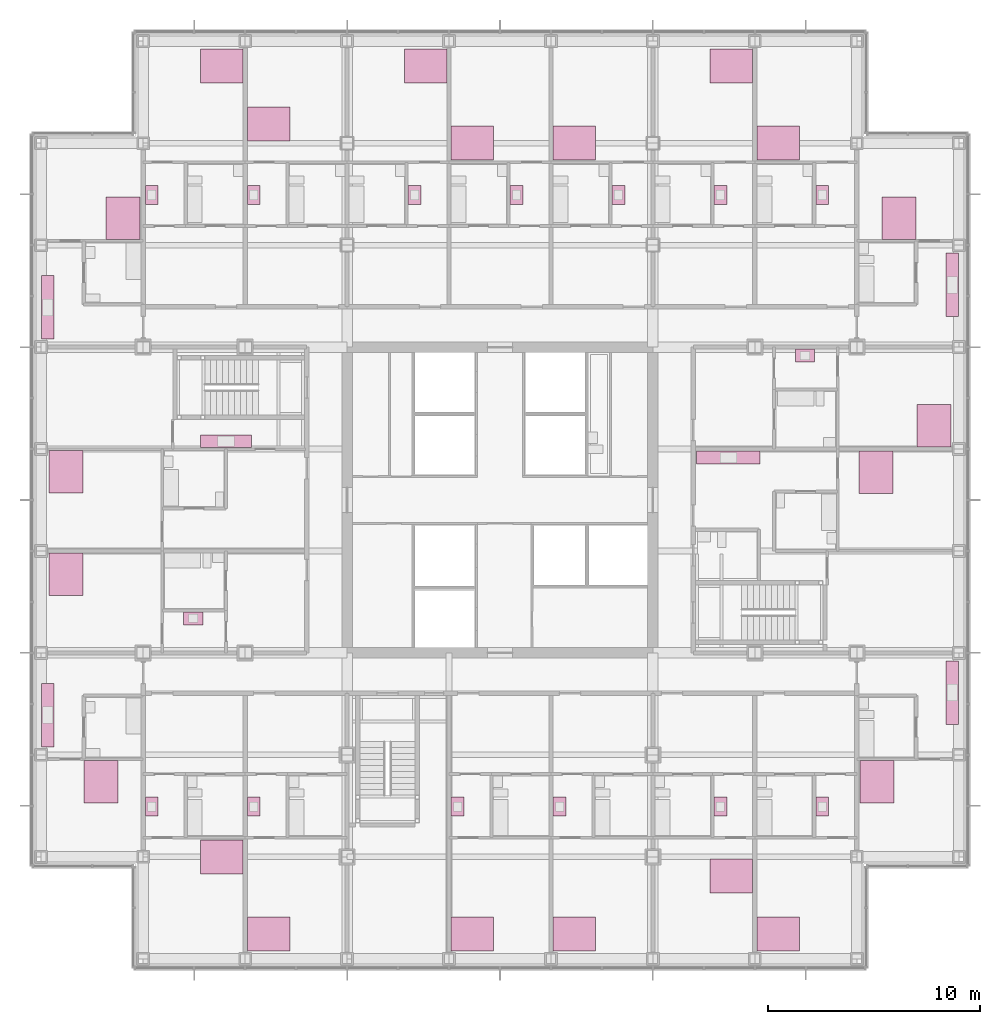
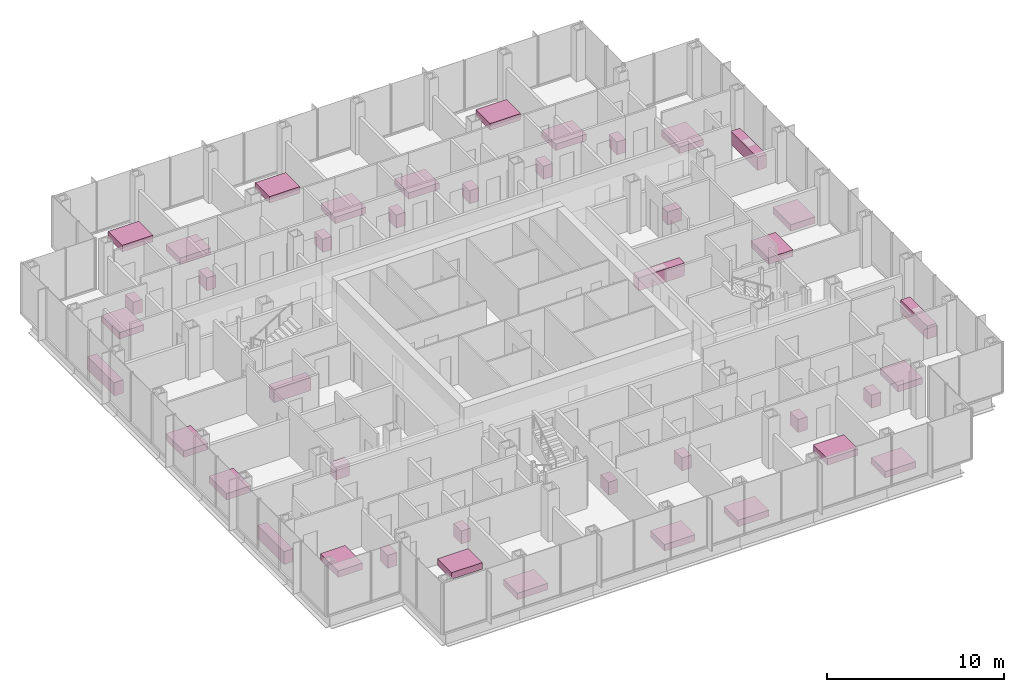
# One storey, part 22 of 22: 42 furniture elements.
"""IFC4 building model written with IfcOpenShell, lengths in metres."""

from ifc_helpers import new_model, si_unit, direction, frame, origin, origin_2d, place, context, subcontext, project, spatial, rectangle, extrude, material, type_object, element, save


model = new_model("IFC4")

# Units and contexts
model_context = context("Model", 3, precision=1e-05, world=origin(), true_north=direction((0.0, 1.0)))
body_context = subcontext(model_context, "Body", "Model", "MODEL_VIEW")
ifc_project = project(units=[si_unit("LENGTHUNIT", "METRE"), si_unit("AREAUNIT", "SQUARE_METRE"), si_unit("VOLUMEUNIT", "CUBIC_METRE"), si_unit("PLANEANGLEUNIT", "RADIAN"), si_unit("MASSUNIT", "GRAM", prefix="KILO")], contexts=[model_context])

# Site, building, storey
site_placement = place(None, origin())
site = spatial("IfcSite", under=ifc_project, at=site_placement, CompositionType="ELEMENT")
building_placement = place(site_placement, origin())
building = spatial("IfcBuilding", under=site, at=building_placement, Name="Kvirike Care Tower", CompositionType="ELEMENT")
storey_placement = place(building_placement, frame((0.0, 0.0, 69.0)))
storey = spatial("IfcBuildingStorey", under=building, at=storey_placement, Name="L18", CompositionType="ELEMENT", Elevation=69.0)

# Furniture
ifc_material_1 = material(Name="Timber", Category="wood")
furniture_type_1 = type_object("IfcFurnitureType", Name="DOUBLE BED 1600 x 2000", AssemblyPlace="FACTORY", PredefinedType="BED", material=ifc_material_1)
for number, where, z_axis, x_axis, name in (
    (1, (2.820068359375, 22.738037109375, 0.0), (0.0, 0.0, 1.0), (1.0, 0.0, 0.0), "Double bed L18-002"),
    (2, (8.498046875, 19.18994140625, 0.0), (0.0, 0.0, 1.0), (0.0, -1.0, 0.0), "Double bed L18-005"),
    (3, (10.701904296875, 15.570068359375, 0.0), (0.0, 0.0, 1.0), (0.0, 1.0, 0.0), "Double bed L18-009"),
    (4, (1.169921875, 37.337890625, 0.0), (0.0, 0.0, 1.0), (1.0, 0.0, 0.0), "Double bed L18-016"),
    (5, (1.169921875, 32.498046875, 0.0), (0.0, 0.0, 1.0), (1.0, 0.0, 0.0), "Double bed L18-020"),
    (6, (10.701904296875, 53.7099609375, 0.0), (0.0, 0.0, 1.0), (0.0, 1.0, 0.0), "Double bed L18-025"),
    (7, (8.498046875, 56.429931640625, 0.0), (0.0, 0.0, 1.0), (0.0, -1.0, 0.0), "Double bed L18-029"),
    (8, (3.85009765625, 49.261962890625, 0.0), (0.0, 0.0, 1.0), (-1.0, 0.0, 0.0), "Double bed L18-033"),
    (9, (20.302001953125, 15.570068359375, 0.0), (0.0, 0.0, 1.0), (0.0, 1.0, 0.0), "Double bed L18-039"),
    (10, (25.10205078125, 15.570068359375, 0.0), (0.0, 0.0, 1.0), (0.0, 1.0, 0.0), "Double bed L18-043"),
    (11, (25.10205078125, 52.81005859375, 0.0), (0.0, 0.0, 1.0), (0.0, 1.0, 0.0), "Double bed L18-048"),
    (12, (20.302001953125, 52.81005859375, 0.0), (0.0, 0.0, 1.0), (0.0, 1.0, 0.0), "Double bed L18-052"),
    (13, (18.097900390625, 56.429931640625, 0.0), (0.0, 0.0, 1.0), (0.0, -1.0, 0.0), "Double bed L18-056"),
    (14, (32.498046875, 18.2900390625, 0.0), (0.0, 0.0, 1.0), (0.0, -1.0, 0.0), "Double bed L18-061"),
    (15, (34.701904296875, 15.570068359375, 0.0), (0.0, 0.0, 1.0), (0.0, 1.0, 0.0), "Double bed L18-065"),
    (16, (39.35009765625, 22.738037109375, 0.0), (0.0, 0.0, 1.0), (1.0, 0.0, 0.0), "Double bed L18-069"),
    (17, (39.31005859375, 37.298095703125, 0.0), (0.0, 0.0, 1.0), (1.0, 0.0, 0.0), "Double bed L18-075"),
    (18, (42.030029296875, 39.501953125, 0.0), (0.0, 0.0, 1.0), (-1.0, 0.0, 0.0), "Double bed L18-079"),
    (19, (40.3798828125, 49.261962890625, 0.0), (0.0, 0.0, 1.0), (-1.0, 0.0, 0.0), "Double bed L18-084"),
    (20, (34.701904296875, 52.81005859375, 0.0), (0.0, 0.0, 1.0), (0.0, 1.0, 0.0), "Double bed L18-087"),
    (21, (32.498046875, 56.429931640625, 0.0), (0.0, 0.0, 1.0), (0.0, -1.0, 0.0), "Double bed L18-091"),
):
    element("IfcFurniture", number, at=place(storey_placement, frame(where, z_axis=z_axis, x_axis=x_axis)), inside=storey, type_object=furniture_type_1, Name=name, PredefinedType="BED", context=body_context, shape_type="SweptSolid", body=[
        extrude(rectangle(XDim=1.60009765625, YDim=2.0, at=origin_2d()), origin(), (0.0, 0.0, 1.0), 0.449951171875),
    ])
ifc_material_2 = material(Name="Laminated board", Category="wood")
furniture_type_2 = type_object("IfcFurnitureType", Name="KITCHEN UNIT RUN 600", AssemblyPlace="FACTORY", PredefinedType="USERDEFINED", material=ifc_material_2)
furniture_1_placement = place(storey_placement, frame((0.302001953125, 25.8701171875, 0.0), z_axis=(0.0, 0.0, 1.0), x_axis=(0.0, 1.0, 0.0)))
element("IfcFurniture", 22, at=furniture_1_placement, inside=storey, type_object=furniture_type_2, Name="Kitchen unit run L18-004", ObjectType="KITCHEN UNIT", PredefinedType="USERDEFINED", context=body_context, shape_type="SweptSolid", body=[
    extrude(rectangle(XDim=3.0, YDim=0.60009765625, at=origin_2d()), origin(), (0.0, 0.0, 1.0), 0.89990234375),
])
for number, where, z_axis, x_axis, name in (
    (23, (5.201904296875, 21.56005859375, 0.0), (0.0, 0.0, 1.0), (0.0, 1.0, 0.0), "Kitchen unit run L18-007"),
    (24, (10.001953125, 21.56005859375, 0.0), (0.0, 0.0, 1.0), (0.0, 1.0, 0.0), "Kitchen unit run L18-011"),
):
    element("IfcFurniture", number, at=place(storey_placement, frame(where, z_axis=z_axis, x_axis=x_axis)), inside=storey, type_object=furniture_type_2, Name=name, ObjectType="KITCHEN UNIT", PredefinedType="USERDEFINED", context=body_context, shape_type="SweptSolid", body=[
        extrude(rectangle(XDim=0.89990234375, YDim=0.60009765625, at=origin_2d()), origin(), (0.0, 0.0, 1.0), 0.89990234375),
    ])
furniture_2_placement = place(storey_placement, frame((8.699951171875, 38.761962890625, 0.0), z_axis=(0.0, 0.0, 1.0), x_axis=(-1.0, 0.0, 0.0)))
element("IfcFurniture", 25, at=furniture_2_placement, inside=storey, type_object=furniture_type_2, Name="Kitchen unit run L18-018", ObjectType="KITCHEN UNIT", PredefinedType="USERDEFINED", context=body_context, shape_type="SweptSolid", body=[
    extrude(rectangle(XDim=2.39990234375, YDim=0.60009765625, at=origin_2d()), origin(), (0.0, 0.0, 1.0), 0.89990234375),
])
for number, where, z_axis, x_axis, name in (
    (26, (7.159912109375, 30.423095703125, 0.0), (0.0, 0.0, 1.0), (1.0, 0.0, 0.0), "Kitchen unit run L18-022"),
    (27, (10.001953125, 50.360107421875, 0.0), (0.0, 0.0, 1.0), (0.0, 1.0, 0.0), "Kitchen unit run L18-027"),
    (28, (5.201904296875, 50.360107421875, 0.0), (0.0, 0.0, 1.0), (0.0, 1.0, 0.0), "Kitchen unit run L18-031"),
):
    element("IfcFurniture", number, at=place(storey_placement, frame(where, z_axis=z_axis, x_axis=x_axis)), inside=storey, type_object=furniture_type_2, Name=name, ObjectType="KITCHEN UNIT", PredefinedType="USERDEFINED", context=body_context, shape_type="SweptSolid", body=[
        extrude(rectangle(XDim=0.89990234375, YDim=0.60009765625, at=origin_2d()), origin(), (0.0, 0.0, 1.0), 0.89990234375),
    ])
furniture_3_placement = place(storey_placement, frame((0.302001953125, 45.070068359375, 0.0), z_axis=(0.0, 0.0, 1.0), x_axis=(0.0, 1.0, 0.0)))
element("IfcFurniture", 29, at=furniture_3_placement, inside=storey, type_object=furniture_type_2, Name="Kitchen unit run L18-035", ObjectType="KITCHEN UNIT", PredefinedType="USERDEFINED", context=body_context, shape_type="SweptSolid", body=[
    extrude(rectangle(XDim=3.0, YDim=0.60009765625, at=origin_2d()), origin(), (0.0, 0.0, 1.0), 0.89990234375),
])
for number, where, z_axis, x_axis, name in (
    (30, (19.60205078125, 21.56005859375, 0.0), (0.0, 0.0, 1.0), (0.0, 1.0, 0.0), "Kitchen unit run L18-041"),
    (31, (24.402099609375, 21.56005859375, 0.0), (0.0, 0.0, 1.0), (0.0, 1.0, 0.0), "Kitchen unit run L18-045"),
    (32, (27.177001953125, 50.360107421875, 0.0), (0.0, 0.0, 1.0), (0.0, 1.0, 0.0), "Kitchen unit run L18-050"),
    (33, (22.376953125, 50.360107421875, 0.0), (0.0, 0.0, 1.0), (0.0, 1.0, 0.0), "Kitchen unit run L18-054"),
    (34, (17.576904296875, 50.360107421875, 0.0), (0.0, 0.0, 1.0), (0.0, 1.0, 0.0), "Kitchen unit run L18-058"),
    (35, (31.97705078125, 21.56005859375, 0.0), (0.0, 0.0, 1.0), (0.0, 1.0, 0.0), "Kitchen unit run L18-063"),
    (36, (36.777099609375, 21.56005859375, 0.0), (0.0, 0.0, 1.0), (0.0, 1.0, 0.0), "Kitchen unit run L18-067"),
):
    element("IfcFurniture", number, at=place(storey_placement, frame(where, z_axis=z_axis, x_axis=x_axis)), inside=storey, type_object=furniture_type_2, Name=name, ObjectType="KITCHEN UNIT", PredefinedType="USERDEFINED", context=body_context, shape_type="SweptSolid", body=[
        extrude(rectangle(XDim=0.89990234375, YDim=0.60009765625, at=origin_2d()), origin(), (0.0, 0.0, 1.0), 0.89990234375),
    ])
for number, where, z_axis, x_axis, name in (
    (37, (42.89794921875, 26.929931640625, 0.0), (0.0, 0.0, 1.0), (0.0, -1.0, 0.0), "Kitchen unit run L18-071"),
    (38, (32.35009765625, 37.998046875, 0.0), (0.0, 0.0, 1.0), (1.0, 0.0, 0.0), "Kitchen unit run L18-078"),
):
    element("IfcFurniture", number, at=place(storey_placement, frame(where, z_axis=z_axis, x_axis=x_axis)), inside=storey, type_object=furniture_type_2, Name=name, ObjectType="KITCHEN UNIT", PredefinedType="USERDEFINED", context=body_context, shape_type="SweptSolid", body=[
        extrude(rectangle(XDim=3.0, YDim=0.60009765625, at=origin_2d()), origin(), (0.0, 0.0, 1.0), 0.89990234375),
    ])
furniture_4_placement = place(storey_placement, frame((35.9599609375, 42.798095703125, 0.0), z_axis=(0.0, 0.0, 1.0), x_axis=(1.0, 0.0, 0.0)))
element("IfcFurniture", 39, at=furniture_4_placement, inside=storey, type_object=furniture_type_2, Name="Kitchen unit run L18-081", ObjectType="KITCHEN UNIT", PredefinedType="USERDEFINED", context=body_context, shape_type="SweptSolid", body=[
    extrude(rectangle(XDim=0.89990234375, YDim=0.60009765625, at=origin_2d()), origin(), (0.0, 0.0, 1.0), 0.89990234375),
])
furniture_5_placement = place(storey_placement, frame((42.89794921875, 46.1298828125, 0.0), z_axis=(0.0, 0.0, 1.0), x_axis=(0.0, -1.0, 0.0)))
element("IfcFurniture", 40, at=furniture_5_placement, inside=storey, type_object=furniture_type_2, Name="Kitchen unit run L18-086", ObjectType="KITCHEN UNIT", PredefinedType="USERDEFINED", context=body_context, shape_type="SweptSolid", body=[
    extrude(rectangle(XDim=3.0, YDim=0.60009765625, at=origin_2d()), origin(), (0.0, 0.0, 1.0), 0.89990234375),
])
for number, where, z_axis, x_axis, name in (
    (41, (36.777099609375, 50.360107421875, 0.0), (0.0, 0.0, 1.0), (0.0, 1.0, 0.0), "Kitchen unit run L18-089"),
    (42, (31.97705078125, 50.360107421875, 0.0), (0.0, 0.0, 1.0), (0.0, 1.0, 0.0), "Kitchen unit run L18-093"),
):
    element("IfcFurniture", number, at=place(storey_placement, frame(where, z_axis=z_axis, x_axis=x_axis)), inside=storey, type_object=furniture_type_2, Name=name, ObjectType="KITCHEN UNIT", PredefinedType="USERDEFINED", context=body_context, shape_type="SweptSolid", body=[
        extrude(rectangle(XDim=0.89990234375, YDim=0.60009765625, at=origin_2d()), origin(), (0.0, 0.0, 1.0), 0.89990234375),
    ])

save(model, "model.ifc")
